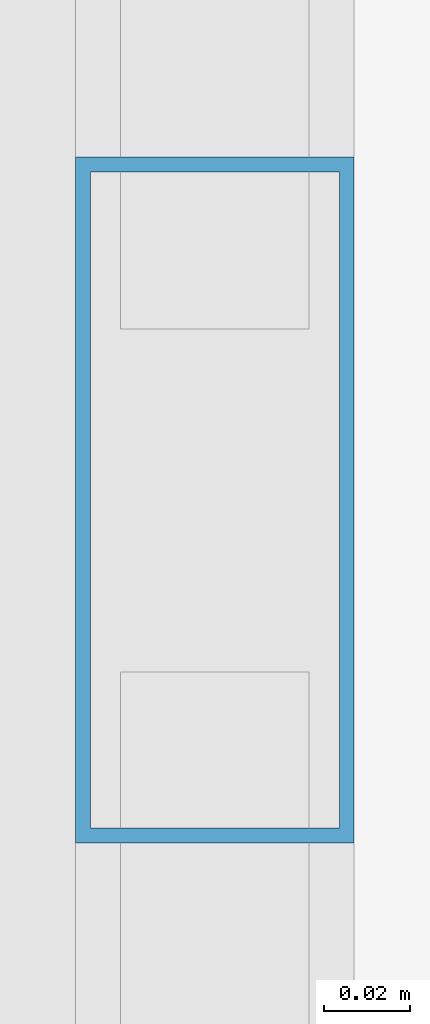
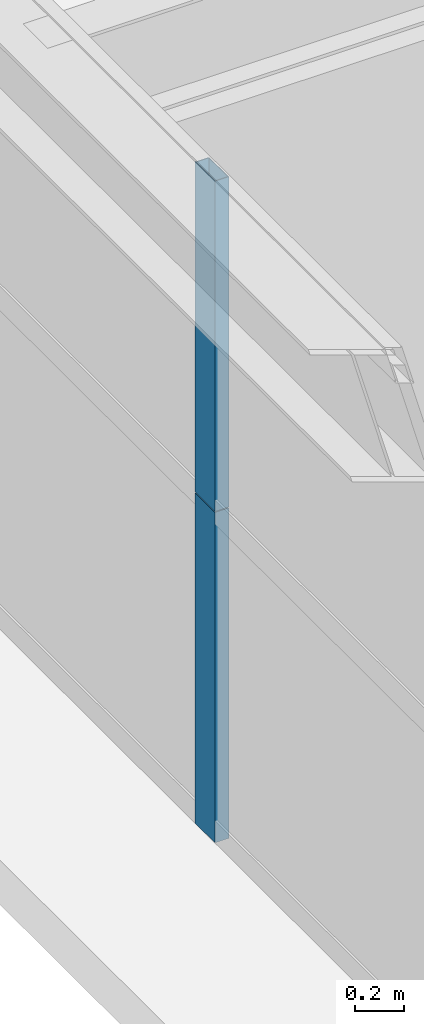
# One storey, part 14 of 45: 2 members, 1 element without a shape of its own.
"""IFC4 building model written with IfcOpenShell, lengths in metres."""

from ifc_helpers import new_model, si_unit, direction, frame, origin, origin_2d, place, context, subcontext, project, spatial, hollow_rectangle, extrude, source, transform, mapped, material, layer, layer_set, material_profile, profile_set, type_object, element, aggregate, save


model = new_model("IFC4")

# Units and contexts
model_context = context("Model", 3, precision=1e-05, world=origin(), true_north=direction((0.0, 1.0)))
body_context = subcontext(model_context, "Body", "Model", "MODEL_VIEW")
ifc_project = project(units=[si_unit("LENGTHUNIT", "METRE"), si_unit("AREAUNIT", "SQUARE_METRE"), si_unit("VOLUMEUNIT", "CUBIC_METRE"), si_unit("PLANEANGLEUNIT", "RADIAN"), si_unit("MASSUNIT", "GRAM", prefix="KILO"), si_unit("THERMODYNAMICTEMPERATUREUNIT", "KELVIN"), si_unit("POWERUNIT", "WATT")], contexts=[model_context])

# Site, building, storey
site_placement = place(None, origin())
site = spatial("IfcSite", under=ifc_project, at=site_placement, CompositionType="ELEMENT")
building_placement = place(site_placement, origin())
building = spatial("IfcBuilding", under=site, at=building_placement, Name="Yuzanri Waterfront Tower", CompositionType="ELEMENT")
storey_placement = place(building_placement, frame((0.0, 0.0, 191.5)))
storey = spatial("IfcBuildingStorey", under=building, at=storey_placement, Name="L50", CompositionType="ELEMENT", Elevation=191.5)

# Curtain wall, members
ifc_material_1 = material(Name="Anodized Architectural Bronze", Category="metal")
ifc_layer = layer(ifc_material_1, 0.159912109375)
ifc_layer_set = layer_set([ifc_layer], Name="Anodized Architectural Bronze")
curtain_wall_type = type_object("IfcCurtainWallType", Name="Anodized Bronze Mid-Rise Residential Acoustic Unitized Curtain Wall 7200", PredefinedType="NOTDEFINED", material=ifc_layer_set)
curtain_wall_placement = place(storey_placement, origin())
curtain_wall = element("IfcCurtainWall", 1, at=curtain_wall_placement, inside=storey, type_object=curtain_wall_type, Name="L50 Curtain Wall CW-L50-WL", PredefinedType="NOTDEFINED")
ifc_material_2 = material(Name="Anodized Architectural Bronze", Category="metal")
ifc_material_profile = material_profile(ifc_material_2, hollow_rectangle(XDim=0.06494140625, YDim=0.159912109375, WallThickness=0.00341796875, at=origin_2d()), Name="CWM 65x160")
ifc_profile_set = profile_set([ifc_material_profile], Name="Anodized Architectural Bronze")
member_type = type_object("IfcMemberType", Name="Anodized Bronze Upper-Zone Curtain-Wall Mullion 65x160", PredefinedType="MULLION", material=ifc_profile_set)
shared_shape = source(origin(), body_context, "Body", "SweptSolid", [
    extrude(hollow_rectangle(XDim=0.06494140625, YDim=0.159912109375, WallThickness=0.00341796875, at=origin_2d()), origin(), (0.0, 0.0, 1.0), 1.637939453125),
])
member_1_placement = place(storey_placement, frame((15.050048828125, 18.22509765625, 0.0), z_axis=(0.0, 0.0, 1.0), x_axis=(1.0, 0.0, 0.0)))
member_1 = element("IfcMember", 2, at=member_1_placement, type_object=member_type, Name="CW-L50-WL Lower Mullion 01", PredefinedType="MULLION", context=body_context, shape_type="MappedRepresentation", body=[
    mapped(shared_shape, transform((0.0, 0.0, 0.0), scale=1.0)),
])
member_2_placement = place(storey_placement, frame((15.050048828125, 18.22509765625, 1.64208984375), z_axis=(0.0, 0.0, 1.0), x_axis=(1.0, 0.0, 0.0)))
member_2 = element("IfcMember", 3, at=member_2_placement, type_object=member_type, Name="CW-L50-WL Upper Mullion 01", PredefinedType="MULLION", context=body_context, shape_type="MappedRepresentation", body=[
    mapped(shared_shape, transform((0.0, 0.0, 0.0), scale=1.0)),
])
aggregate(curtain_wall, [member_1, member_2])

save(model, "model.ifc")
